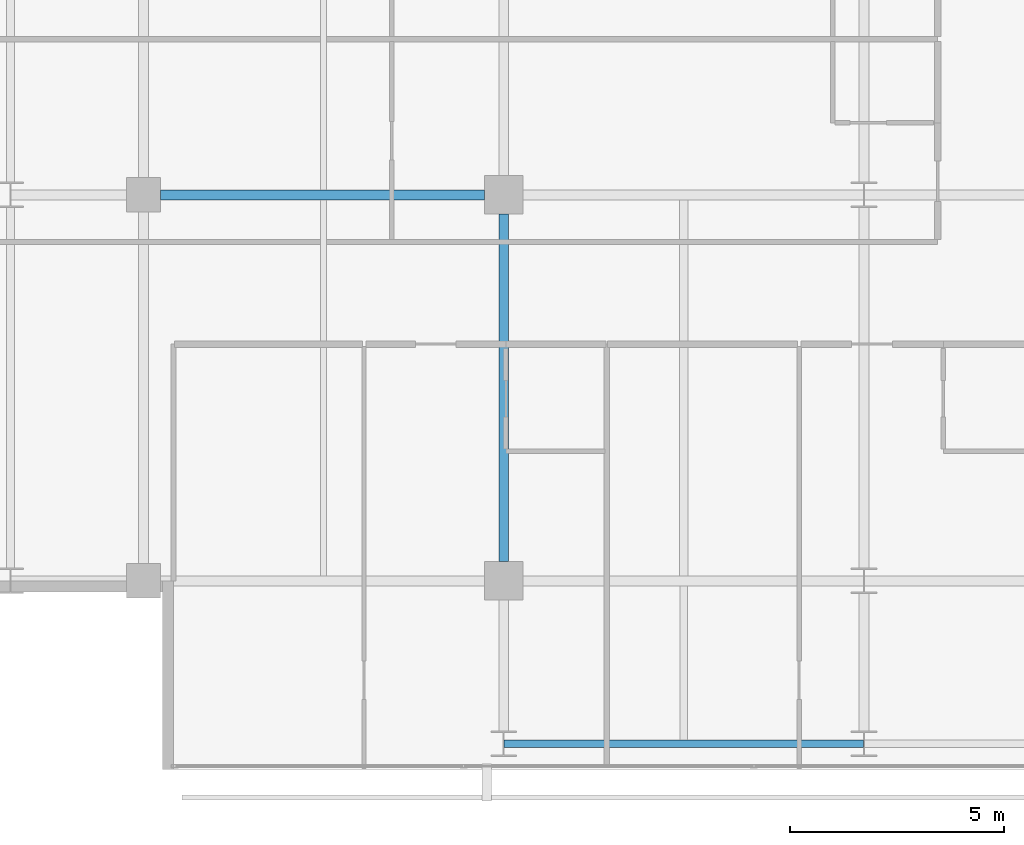
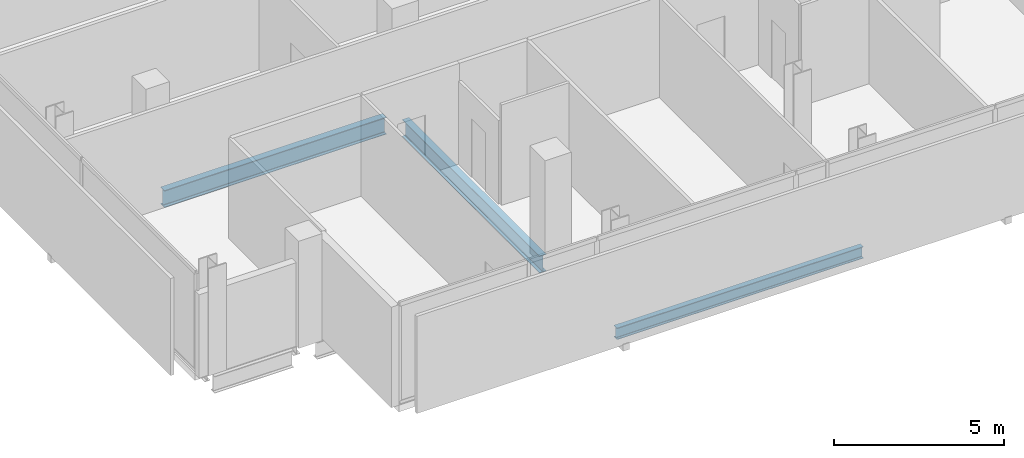
# One storey, part 5 of 34: 3 beams.
"""IFC4 building model written with IfcOpenShell, lengths in metres."""

from ifc_helpers import new_model, si_unit, direction, frame, origin, origin_2d, place, context, subcontext, project, spatial, i_section, extrude, material, material_profile, profile_set, type_object, element, save


model = new_model("IFC4")

# Units and contexts
model_context = context("Model", 3, precision=1e-05, world=origin(), true_north=direction((0.0, 1.0)))
body_context = subcontext(model_context, "Body", "Model", "MODEL_VIEW")
ifc_project = project(units=[si_unit("LENGTHUNIT", "METRE"), si_unit("AREAUNIT", "SQUARE_METRE"), si_unit("VOLUMEUNIT", "CUBIC_METRE"), si_unit("PLANEANGLEUNIT", "RADIAN"), si_unit("MASSUNIT", "GRAM", prefix="KILO")], contexts=[model_context])

# Site, building, storey
site_placement = place(None, origin())
site = spatial("IfcSite", under=ifc_project, at=site_placement, CompositionType="ELEMENT")
building_placement = place(site_placement, origin())
building = spatial("IfcBuilding", under=site, at=building_placement, Name="Maruvema Waterfront Hotel and Observation Tower", CompositionType="ELEMENT")
storey_placement = place(building_placement, frame((0.0, 0.0, 146.64990234375)))
storey = spatial("IfcBuildingStorey", under=building, at=storey_placement, Name="L35", CompositionType="ELEMENT", Elevation=146.64990234375)

# Beams
ifc_material_1 = material(Name="Steel ASTM A572 Grade 50", Category="steel")
ifc_material_profile_1 = material_profile(ifc_material_1, i_section(OverallWidth=0.180908203125, OverallDepth=0.4169921875, WebThickness=0.010986328125, FlangeThickness=0.018310546875, FilletRadius=0.014892578125, at=origin_2d()), Name="W410x85.0")
ifc_profile_set_1 = profile_set([ifc_material_profile_1], Name="Steel ASTM A572 Grade 50")
beam_type_1 = type_object("IfcBeamType", Name="Perimeter Spandrel Beam W410x85.0", PredefinedType="SPANDREL", material=ifc_profile_set_1)
beam_1_placement = place(storey_placement, frame((25.21240234375, 5.199951171875, -0.448486328125), z_axis=(1.0, 0.0, 0.0), x_axis=(0.0, 1.0, 0.0)))
element("IfcBeam", 1, at=beam_1_placement, inside=storey, type_object=beam_type_1, Name="L35 Floor Girder EW-01", PredefinedType="SPANDREL", context=body_context, shape_type="SweptSolid", body=[
    extrude(i_section(OverallWidth=0.180908203125, OverallDepth=0.4169921875, WebThickness=0.010986328125, FlangeThickness=0.018310546875, FilletRadius=0.014892578125, at=origin_2d()), origin(), (0.0, 0.0, 1.0), 8.375),
])
ifc_material_2 = material(Name="Steel ASTM A572 Grade 50", Category="steel")
ifc_material_profile_2 = material_profile(ifc_material_2, i_section(OverallWidth=0.22900390625, OverallDepth=0.612060546875, WebThickness=0.011962890625, FlangeThickness=0.01953125, FilletRadius=0.01806640625, at=origin_2d()), Name="W610x125.0")
ifc_profile_set_2 = profile_set([ifc_material_profile_2], Name="Steel ASTM A572 Grade 50")
beam_type_2 = type_object("IfcBeamType", Name="Primary Floor Girder W610x125.0", PredefinedType="BEAM", material=ifc_profile_set_2)
beam_2_placement = place(storey_placement, frame((17.199951171875, 18.0, -0.5458984375), z_axis=(1.0, 0.0, 0.0), x_axis=(0.0, 1.0, 0.0)))
element("IfcBeam", 2, at=beam_2_placement, inside=storey, type_object=beam_type_2, Name="L35 Floor Girder EW-12", PredefinedType="BEAM", context=body_context, shape_type="SweptSolid", body=[
    extrude(i_section(OverallWidth=0.22900390625, OverallDepth=0.612060546875, WebThickness=0.011962890625, FlangeThickness=0.01953125, FilletRadius=0.01806640625, at=origin_2d()), origin(), (0.0, 0.0, 1.0), 7.550048828125),
])
beam_3_placement = place(storey_placement, frame((25.199951171875, 9.449951171875, -0.5458984375), z_axis=(0.0, 1.0, 0.0), x_axis=(-1.0, 0.0, 0.0)))
element("IfcBeam", 3, at=beam_3_placement, inside=storey, type_object=beam_type_2, Name="L35 Floor Girder NS-10", PredefinedType="BEAM", context=body_context, shape_type="SweptSolid", body=[
    extrude(i_section(OverallWidth=0.22900390625, OverallDepth=0.612060546875, WebThickness=0.011962890625, FlangeThickness=0.01953125, FilletRadius=0.01806640625, at=origin_2d()), origin(), (0.0, 0.0, 1.0), 8.10009765625),
])

save(model, "model.ifc")
